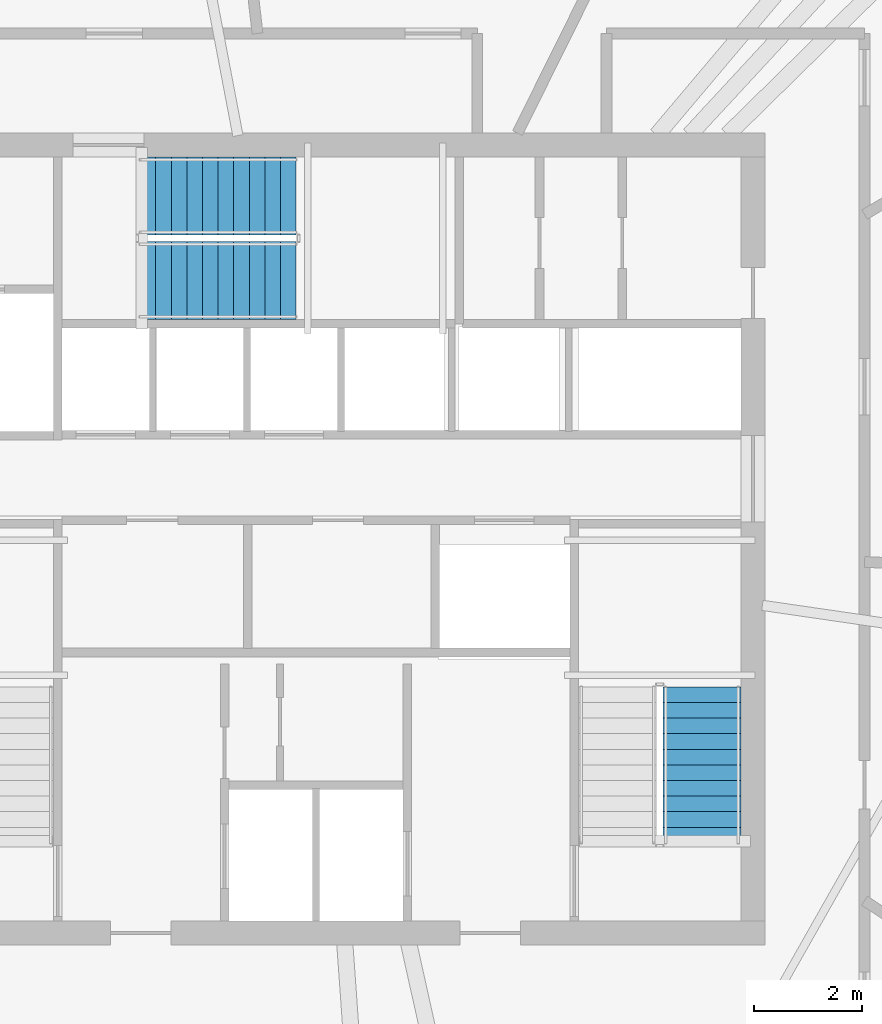
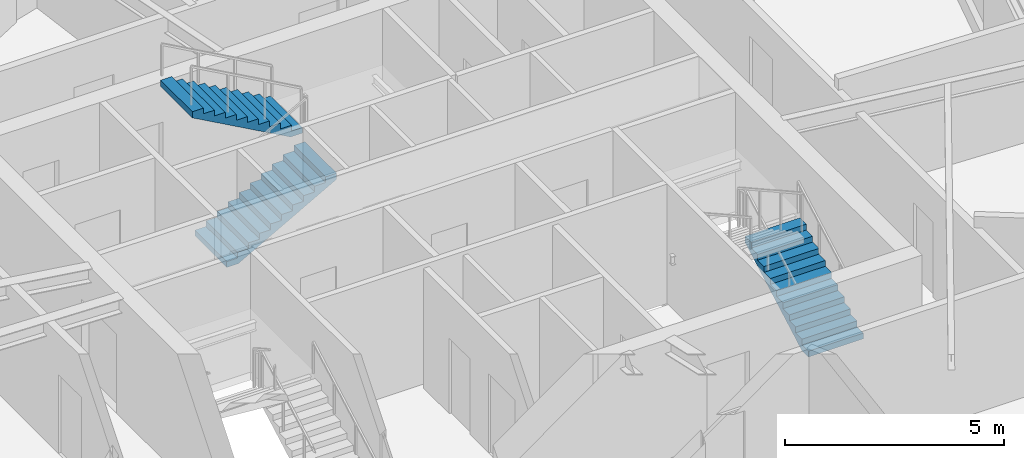
# One storey, part 11 of 14: 3 stair flights, 2 elements without a shape of their own.
"""IFC4 building model written with IfcOpenShell, lengths in metres."""

from ifc_helpers import new_model, si_unit, direction, frame, origin, place, context, subcontext, project, spatial, polyline, outline, extrude, material, type_object, element, aggregate, save


model = new_model("IFC4")

# Units and contexts
model_context = context("Model", 3, precision=1e-05, world=origin(), true_north=direction((0.0, 1.0)))
body_context = subcontext(model_context, "Body", "Model", "MODEL_VIEW")
ifc_project = project(units=[si_unit("LENGTHUNIT", "METRE"), si_unit("AREAUNIT", "SQUARE_METRE"), si_unit("VOLUMEUNIT", "CUBIC_METRE"), si_unit("PLANEANGLEUNIT", "RADIAN"), si_unit("MASSUNIT", "GRAM", prefix="KILO")], contexts=[model_context])

# Site, building, storey
site_placement = place(None, origin())
site = spatial("IfcSite", under=ifc_project, at=site_placement, CompositionType="ELEMENT")
building_placement = place(site_placement, origin())
building = spatial("IfcBuilding", under=site, at=building_placement, Name="Olszyna Solenne Hotel", CompositionType="ELEMENT")
storey_placement = place(building_placement, frame((0.0, 0.0, 223.800048828125)))
storey = spatial("IfcBuildingStorey", under=building, at=storey_placement, Name="L59", CompositionType="ELEMENT", Elevation=223.800048828125)

# Stair, stair flight
ifc_material = material(Name="Concrete C40/50", Category="concrete")
stair_type = type_object("IfcStairType", Name="STR-C1", PredefinedType="TWO_QUARTER_WINDING_STAIR", material=ifc_material)
stair_1_placement = place(storey_placement, origin())
stair_1 = element("IfcStair", 1, at=stair_1_placement, inside=storey, type_object=stair_type, Name="L59 ST2", PredefinedType="TWO_QUARTER_WINDING_STAIR")
stair_flight_type = type_object("IfcStairFlightType", Name="FLT-C1", PredefinedType="STRAIGHT", material=ifc_material)
stair_flight_1_placement = place(storey_placement, frame((45.175048828125, 20.949951171875, 0.0), z_axis=(0.0, 0.0, 1.0), x_axis=(0.0, 1.0, 0.0)))
stair_flight_1 = element("IfcStairFlight", 2, at=stair_flight_1_placement, type_object=stair_flight_type, Name="ST2 flight 1", NumberOfRisers=11, NumberOfTreads=10, PredefinedType="STRAIGHT", RiserHeight=0.161363636, TreadLength=0.29, context=body_context, shape_type="SweptSolid", body=[
    extrude(outline(polyline([(0.0, 0.0), (0.0, 0.161376953125), (0.2900390625, 0.161376953125), (0.2900390625, 0.32275390625), (0.580078125, 0.32275390625), (0.580078125, 0.484130859375), (0.8701171875, 0.484130859375), (0.8701171875, 0.6455078125), (1.159912109375, 0.6455078125), (1.159912109375, 0.806884765625), (1.449951171875, 0.806884765625), (1.449951171875, 0.96826171875), (1.739990234375, 0.96826171875), (1.739990234375, 1.129638671875), (2.030029296875, 1.129638671875), (2.030029296875, 1.291015625), (2.320068359375, 1.291015625), (2.320068359375, 1.452392578125), (2.610107421875, 1.452392578125), (2.610107421875, 1.613525390625), (2.89990234375, 1.613525390625), (2.89990234375, 1.77490234375), (2.89990234375, 1.442138671875), (0.308349609375, 0.0), (0.0, 0.0)])), frame((0.0, 0.72509765625, 0.0), z_axis=(0.0, -1.0, 0.0), x_axis=(1.0, 0.0, 0.0)), (0.0, 0.0, 1.0), 1.449951171875),
])
aggregate(stair_1, [stair_flight_1])

# Stair, stair flights
stair_2_placement = place(storey_placement, origin())
stair_2 = element("IfcStair", 3, at=stair_2_placement, inside=storey, type_object=stair_type, Name="L59 ST3", PredefinedType="TWO_QUARTER_WINDING_STAIR")
stair_flight_2_placement = place(storey_placement, frame((34.72998046875, 31.405029296875, 0.0), z_axis=(0.0, 0.0, 1.0), x_axis=(1.0, 0.0, 0.0)))
stair_flight_2 = element("IfcStairFlight", 4, at=stair_flight_2_placement, type_object=stair_flight_type, Name="ST3 flight 1", NumberOfRisers=11, NumberOfTreads=10, PredefinedType="STRAIGHT", RiserHeight=0.161363636, TreadLength=0.29, context=body_context, shape_type="SweptSolid", body=[
    extrude(outline(polyline([(0.0, 0.0), (0.0, 0.161376953125), (0.2900390625, 0.161376953125), (0.2900390625, 0.32275390625), (0.580078125, 0.32275390625), (0.580078125, 0.484130859375), (0.8701171875, 0.484130859375), (0.8701171875, 0.6455078125), (1.159912109375, 0.6455078125), (1.159912109375, 0.806884765625), (1.449951171875, 0.806884765625), (1.449951171875, 0.96826171875), (1.739990234375, 0.96826171875), (1.739990234375, 1.129638671875), (2.030029296875, 1.129638671875), (2.030029296875, 1.291015625), (2.320068359375, 1.291015625), (2.320068359375, 1.452392578125), (2.610107421875, 1.452392578125), (2.610107421875, 1.613525390625), (2.89990234375, 1.613525390625), (2.89990234375, 1.77490234375), (2.89990234375, 1.442138671875), (0.308349609375, 0.0), (0.0, 0.0)])), frame((0.0, 0.72509765625, 0.0), z_axis=(0.0, -1.0, 0.0), x_axis=(1.0, 0.0, 0.0)), (0.0, 0.0, 1.0), 1.449951171875),
])
stair_flight_3_placement = place(storey_placement, frame((37.6298828125, 32.97509765625, 1.77490234375), z_axis=(0.0, 0.0, 1.0), x_axis=(-1.0, 0.0, 0.0)))
stair_flight_3 = element("IfcStairFlight", 5, at=stair_flight_3_placement, type_object=stair_flight_type, Name="ST3 flight 2", NumberOfRisers=11, NumberOfTreads=10, PredefinedType="STRAIGHT", RiserHeight=0.161363636, TreadLength=0.29, context=body_context, shape_type="SweptSolid", body=[
    extrude(outline(polyline([(0.0, 0.0), (0.0, 0.161376953125), (0.2900390625, 0.161376953125), (0.2900390625, 0.32275390625), (0.580078125, 0.32275390625), (0.580078125, 0.484130859375), (0.8701171875, 0.484130859375), (0.8701171875, 0.6455078125), (1.159912109375, 0.6455078125), (1.159912109375, 0.806884765625), (1.449951171875, 0.806884765625), (1.449951171875, 0.96826171875), (1.739990234375, 0.96826171875), (1.739990234375, 1.129638671875), (2.030029296875, 1.129638671875), (2.030029296875, 1.291015625), (2.320068359375, 1.291015625), (2.320068359375, 1.452392578125), (2.610107421875, 1.452392578125), (2.610107421875, 1.613525390625), (2.89990234375, 1.613525390625), (2.89990234375, 1.77490234375), (2.89990234375, 1.442138671875), (0.308349609375, 0.0), (0.0, 0.0)])), frame((0.0, 0.72509765625, 0.0), z_axis=(0.0, -1.0, 0.0), x_axis=(1.0, 0.0, 0.0)), (0.0, 0.0, 1.0), 1.449951171875),
])
aggregate(stair_2, [stair_flight_2, stair_flight_3])

save(model, "model.ifc")
